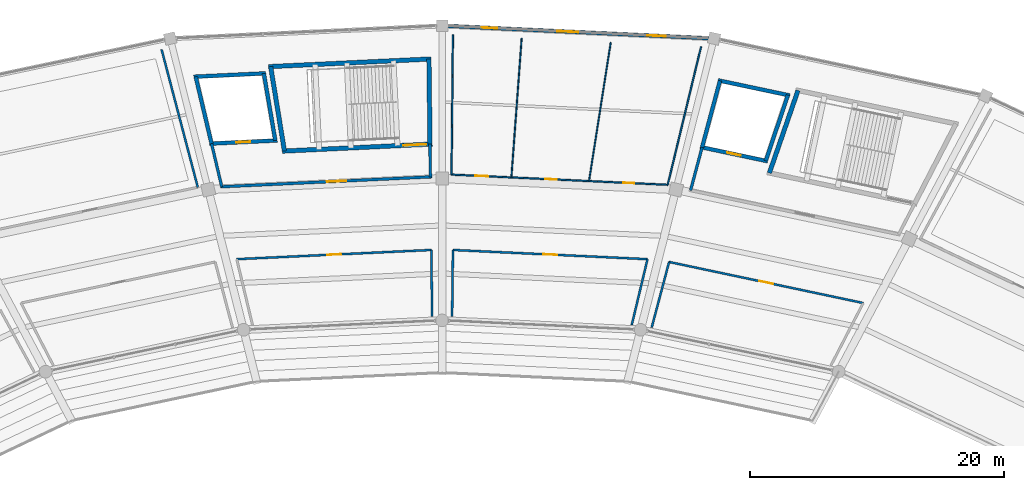
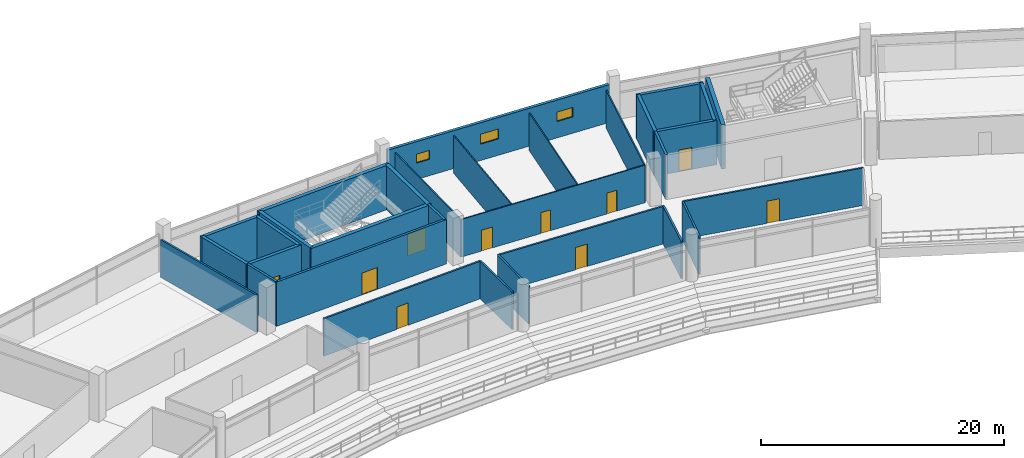
# One storey, part 137 of 171: 31 walls, 10 doors, 3 windows, 13 openings.
"""IFC4 building model written with IfcOpenShell, lengths in metres."""

from ifc_helpers import new_model, si_unit, direction, frame, frame_2d, origin, place, context, subcontext, project, spatial, rectangle, extrude, material, layer, layer_set, type_object, element, fill, save


model = new_model("IFC4")

# Units and contexts
model_context = context("Model", 3, precision=1e-05, world=origin(), true_north=direction((0.0, 1.0)))
body_context = subcontext(model_context, "Body", "Model", "MODEL_VIEW")
ifc_project = project(units=[si_unit("LENGTHUNIT", "METRE"), si_unit("AREAUNIT", "SQUARE_METRE"), si_unit("VOLUMEUNIT", "CUBIC_METRE"), si_unit("PLANEANGLEUNIT", "RADIAN"), si_unit("MASSUNIT", "GRAM", prefix="KILO")], contexts=[model_context])

# Site, building, storey
site_placement = place(None, origin())
site = spatial("IfcSite", under=ifc_project, at=site_placement, CompositionType="ELEMENT")
building_placement = place(site_placement, origin())
building = spatial("IfcBuilding", under=site, at=building_placement, Name="Kazemori Nagisa Stadium", CompositionType="ELEMENT")
storey_placement = place(building_placement, frame((0.0, 0.0, 15.639892578125)))
storey = spatial("IfcBuildingStorey", under=building, at=storey_placement, Name="L03", CompositionType="ELEMENT", Elevation=15.639892578125)

# Wall
ifc_material_1 = material(Name="Concrete C40/50 (Fc42)", Category="concrete")
ifc_layer_1 = layer(ifc_material_1, 0.35009765625, Name="Concrete C40/50 (Fc42)", Category="concrete")
ifc_layer_set_1 = layer_set([ifc_layer_1], Name="Concrete C40/50 (Fc42)")
wall_type_1 = type_object("IfcWallType", Name="Wall_W-CORE-350", PredefinedType="SHEAR", material=ifc_layer_set_1)
wall_1_placement = place(storey_placement, frame((148.787353515625, 176.396240234375, 0.0), z_axis=(0.0, 0.0, 1.0), x_axis=(0.327491724385, 0.944854047173, 0.0)))
element("IfcWall", 1, at=wall_1_placement, inside=storey, type_object=wall_type_1, Name="Core stair right shear wall ST11 L03", PredefinedType="SHEAR", context=body_context, shape_type="SweptSolid", body=[
    extrude(rectangle(XDim=6.88525390625, YDim=0.35009765625, at=frame_2d((3.442626953125, 0.0))), origin(), (0.0, 0.0, 1.0), 4.460205078125),
])

# Wall, opening, door
wall_2_placement = place(storey_placement, frame((122.218994140625, 178.675048828125, 0.0), z_axis=(0.0, 0.0, 1.0), x_axis=(-0.998883770468, -0.04723571843, 0.0)))
wall_2 = element("IfcWall", 2, at=wall_2_placement, inside=storey, type_object=wall_type_1, Name="Core stair front shear wall ST05 L03", PredefinedType="SHEAR", context=body_context, shape_type="SweptSolid", body=[
    extrude(rectangle(XDim=11.830810546875, YDim=0.35009765625, at=frame_2d((5.91552734375, 0.0))), origin(), (0.0, 0.0, 1.0), 4.460205078125),
])
opening_1_placement = place(wall_2_placement, frame((0.47509765625, 0.0, 0.0)))
opening_1 = element("IfcOpeningElement", 3, at=opening_1_placement, cuts=wall_2, Name="Opening D-ST-1800", PredefinedType="OPENING", context=body_context, shape_type="SweptSolid", body=[
    extrude(rectangle(XDim=1.800048828125, YDim=2.199951171875, at=frame_2d((0.89990234375, 1.10009765625))), frame((0.0, 0.18505859375, 0.0), z_axis=(0.0, -1.0, 0.0), x_axis=(1.0, 0.0, 0.0)), (0.0, 0.0, 1.0), 0.3701171875),
])
ifc_material_2 = material(Name="Galvanised steel sheet", Category="steel")
door_type_1 = type_object("IfcDoorType", Name="Door_D-ST-1800", OperationType="NOTDEFINED", PredefinedType="DOOR", material=ifc_material_2)
door_1_placement = place(opening_1_placement, frame((1.800048828125, 0.0, 0.0), z_axis=(0.0, 0.0, 1.0), x_axis=(-1.0, 0.0, 0.0)))
door_1 = element("IfcDoor", 4, at=door_1_placement, inside=storey, type_object=door_type_1, Name="Exit stair fire door ST05-L03", OperationType="SINGLE_SWING_RIGHT", OverallHeight=2.199951171875, OverallWidth=1.800048828125, PredefinedType="DOOR", context=body_context, shape_type="SweptSolid", body=[
    extrude(rectangle(XDim=1.800048828125, YDim=2.199951171875, at=frame_2d((0.89990234375, 1.10009765625))), frame((0.0, 0.02490234375, 0.0), z_axis=(0.0, -1.0, 0.0), x_axis=(1.0, 0.0, 0.0)), (0.0, 0.0, 1.0), 0.050048828125),
])
fill(opening_1, door_1)

# Walls
wall_3_placement = place(storey_placement, frame((122.135498046875, 185.379150390625, 0.0), z_axis=(0.0, 0.0, 1.0), x_axis=(-0.998884004857, -0.047230761603, 0.0)))
element("IfcWall", 5, at=wall_3_placement, inside=storey, type_object=wall_type_1, Name="Core stair rear shear wall ST05 L03", PredefinedType="SHEAR", context=body_context, shape_type="SweptSolid", body=[
    extrude(rectangle(XDim=12.8349609375, YDim=0.35009765625, at=frame_2d((6.41748046875, 0.0))), origin(), (0.0, 0.0, 1.0), 4.460205078125),
])
wall_4_placement = place(storey_placement, frame((122.04443359375, 178.666748046875, 0.0), z_axis=(0.0, 0.0, 1.0), x_axis=(-0.012489921532, 0.999921997888, 0.0)))
element("IfcWall", 6, at=wall_4_placement, inside=storey, type_object=wall_type_1, Name="Core stair left shear wall ST05 L03", PredefinedType="SHEAR", context=body_context, shape_type="SweptSolid", body=[
    extrude(rectangle(XDim=6.70458984375, YDim=0.35009765625, at=frame_2d((3.352294921875, 0.0))), origin(), (0.0, 0.0, 1.0), 4.460205078125),
])
wall_5_placement = place(storey_placement, frame((110.576171875, 178.12451171875, 0.0), z_axis=(0.0, 0.0, 1.0), x_axis=(-0.161075775241, 0.986942042184, 0.0)))
element("IfcWall", 7, at=wall_5_placement, inside=storey, type_object=wall_type_1, Name="Core stair right shear wall ST05 L03", PredefinedType="SHEAR", context=body_context, shape_type="SweptSolid", body=[
    extrude(rectangle(XDim=6.744873046875, YDim=0.35009765625, at=frame_2d((3.37255859375, 0.0))), origin(), (0.0, 0.0, 1.0), 4.460205078125),
])

# Wall, openings, windows
ifc_material_3 = material(Name="Concrete C40/50 (Fc42) precast", Category="concrete")
ifc_layer_2 = layer(ifc_material_3, 0.27490234375, Name="Concrete C40/50 (Fc42) precast", Category="concrete")
ifc_layer_set_2 = layer_set([ifc_layer_2], Name="Concrete C40/50 (Fc42) precast")
wall_type_2 = type_object("IfcWallType", Name="Wall_W-EXT-275", PredefinedType="SOLIDWALL", material=ifc_layer_set_2)
wall_6_placement = place(storey_placement, frame((143.98828125, 187.007568359375, 0.0), z_axis=(0.0, 0.0, 1.0), x_axis=(-0.998883870553, 0.047233601901, 0.0)))
wall_6 = element("IfcWall", 8, at=wall_6_placement, inside=storey, type_object=wall_type_2, Name="Exterior facade wall L03-07", PredefinedType="SOLIDWALL", context=body_context, shape_type="SweptSolid", body=[
    extrude(rectangle(XDim=20.57177734375, YDim=0.27490234375, at=frame_2d((10.285888671875, 0.0))), origin(), (0.0, 0.0, 1.0), 3.81005859375),
])
opening_2_placement = place(wall_6_placement, frame((3.388916015625, 0.0, 1.64990234375)))
opening_2 = element("IfcOpeningElement", 9, at=opening_2_placement, cuts=wall_6, Name="Opening WIN-WC-1450", PredefinedType="OPENING", context=body_context, shape_type="SweptSolid", body=[
    extrude(rectangle(XDim=1.449951171875, YDim=0.949951171875, at=frame_2d((0.72509765625, 0.47509765625))), frame((0.0, 0.1474609375, 0.0), z_axis=(0.0, -1.0, 0.0), x_axis=(1.0, 0.0, 0.0)), (0.0, 0.0, 1.0), 0.294921875),
])
opening_3_placement = place(wall_6_placement, frame((10.283935546875, 0.0, 1.64990234375)))
opening_3 = element("IfcOpeningElement", 10, at=opening_3_placement, cuts=wall_6, Name="Opening WIN-WC-1650", PredefinedType="OPENING", context=body_context, shape_type="SweptSolid", body=[
    extrude(rectangle(XDim=1.64990234375, YDim=1.0, at=frame_2d((0.824951171875, 0.5))), frame((0.0, 0.1474609375, 0.0), z_axis=(0.0, -1.0, 0.0), x_axis=(1.0, 0.0, 0.0)), (0.0, 0.0, 1.0), 0.294921875),
])
opening_4_placement = place(wall_6_placement, frame((16.679931640625, 0.0, 1.64990234375)))
opening_4 = element("IfcOpeningElement", 11, at=opening_4_placement, cuts=wall_6, Name="Opening WIN-WC-1200", PredefinedType="OPENING", context=body_context, shape_type="SweptSolid", body=[
    extrude(rectangle(XDim=1.199951171875, YDim=0.89990234375, at=frame_2d((0.60009765625, 0.449951171875))), frame((0.0, 0.1474609375, 0.0), z_axis=(0.0, -1.0, 0.0), x_axis=(1.0, 0.0, 0.0)), (0.0, 0.0, 1.0), 0.294921875),
])
ifc_material_4 = material(Name="Low-e laminated double glazing", Category="glass")
window_type_1 = type_object("IfcWindowType", Name="Window_WIN-WC-1200", PartitioningType="SINGLE_PANEL", PredefinedType="WINDOW", material=ifc_material_4)
window_1_placement = place(opening_4_placement, origin())
window_1 = element("IfcWindow", 12, at=window_1_placement, inside=storey, type_object=window_type_1, Name="Sanitary clerestory window L03-07-3", OverallHeight=0.89990234375, OverallWidth=1.199951171875, PartitioningType="SINGLE_PANEL", PredefinedType="WINDOW", context=body_context, shape_type="SweptSolid", body=[
    extrude(rectangle(XDim=1.199951171875, YDim=0.89990234375, at=frame_2d((0.60009765625, 0.449951171875))), frame((0.0, 0.030029296875, 0.0), z_axis=(0.0, -1.0, 0.0), x_axis=(1.0, 0.0, 0.0)), (0.0, 0.0, 1.0), 0.06005859375),
])
fill(opening_4, window_1)
window_type_2 = type_object("IfcWindowType", Name="Window_WIN-WC-1450", PartitioningType="SINGLE_PANEL", PredefinedType="WINDOW", material=ifc_material_4)
window_2_placement = place(opening_2_placement, origin())
window_2 = element("IfcWindow", 13, at=window_2_placement, inside=storey, type_object=window_type_2, Name="Sanitary clerestory window L03-07-1", OverallHeight=0.949951171875, OverallWidth=1.449951171875, PartitioningType="SINGLE_PANEL", PredefinedType="WINDOW", context=body_context, shape_type="SweptSolid", body=[
    extrude(rectangle(XDim=1.449951171875, YDim=0.949951171875, at=frame_2d((0.72509765625, 0.47509765625))), frame((0.0, 0.030029296875, 0.0), z_axis=(0.0, -1.0, 0.0), x_axis=(1.0, 0.0, 0.0)), (0.0, 0.0, 1.0), 0.06005859375),
])
fill(opening_2, window_2)
window_type_3 = type_object("IfcWindowType", Name="Window_WIN-WC-1650", PartitioningType="SINGLE_PANEL", PredefinedType="WINDOW", material=ifc_material_4)
window_3_placement = place(opening_3_placement, origin())
window_3 = element("IfcWindow", 14, at=window_3_placement, inside=storey, type_object=window_type_3, Name="Sanitary clerestory window L03-07-2", OverallHeight=1.0, OverallWidth=1.64990234375, PartitioningType="SINGLE_PANEL", PredefinedType="WINDOW", context=body_context, shape_type="SweptSolid", body=[
    extrude(rectangle(XDim=1.64990234375, YDim=1.0, at=frame_2d((0.824951171875, 0.5))), frame((0.0, 0.030029296875, 0.0), z_axis=(0.0, -1.0, 0.0), x_axis=(1.0, 0.0, 0.0)), (0.0, 0.0, 1.0), 0.06005859375),
])
fill(opening_3, window_3)

# Wall
ifc_material_5 = material(Name="Concrete C36/45 (Fc36)", Category="concrete")
ifc_layer_3 = layer(ifc_material_5, 0.219970703125, Name="Concrete C36/45 (Fc36)", Category="concrete")
ifc_layer_set_3 = layer_set([ifc_layer_3], Name="Concrete C36/45 (Fc36)")
wall_type_3 = type_object("IfcWallType", Name="Wall_W-LOBBY-220", PredefinedType="SOLIDWALL", material=ifc_layer_set_3)
wall_7_placement = place(storey_placement, frame((142.576171875, 175.024658203125, 0.0), z_axis=(0.0, 0.0, 1.0), x_axis=(0.258940146037, 0.965893369255, 0.0)))
element("IfcWall", 15, at=wall_7_placement, inside=storey, type_object=wall_type_3, Name="Core lobby right wall ST11 L03", PredefinedType="SOLIDWALL", context=body_context, shape_type="SweptSolid", body=[
    extrude(rectangle(XDim=3.50830078125, YDim=0.219970703125, at=frame_2d((1.754150390625, 0.0))), origin(), (0.0, 0.0, 1.0), 4.460205078125),
])

# Wall, opening, door
wall_8_placement = place(storey_placement, frame((122.186279296875, 176.093505859375, 0.0), z_axis=(0.0, 0.0, 1.0), x_axis=(-0.998884242682, -0.047225731555, 0.0)))
wall_8 = element("IfcWall", 16, at=wall_8_placement, inside=storey, type_object=wall_type_3, Name="Core lobby fire wall ST05 L03", PredefinedType="SOLIDWALL", context=body_context, shape_type="SweptSolid", body=[
    extrude(rectangle(XDim=16.67724609375, YDim=0.219970703125, at=frame_2d((8.338623046875, 0.0))), origin(), (0.0, 0.0, 1.0), 4.460205078125),
])
opening_5_placement = place(wall_8_placement, frame((6.76611328125, 0.0, 0.0)))
opening_5 = element("IfcOpeningElement", 17, at=opening_5_placement, cuts=wall_8, Name="Opening D-FFL-1500", PredefinedType="OPENING", context=body_context, shape_type="SweptSolid", body=[
    extrude(rectangle(XDim=1.5, YDim=2.199951171875, at=frame_2d((0.75, 1.10009765625))), frame((0.0, 0.119873046875, 0.0), z_axis=(0.0, -1.0, 0.0), x_axis=(1.0, 0.0, 0.0)), (0.0, 0.0, 1.0), 0.239990234375),
])
door_type_2 = type_object("IfcDoorType", Name="Door_D-FFL-1500", OperationType="NOTDEFINED", PredefinedType="DOOR", material=ifc_material_2)
door_2_placement = place(opening_5_placement, frame((1.5, 0.0, 0.0), z_axis=(0.0, 0.0, 1.0), x_axis=(-1.0, 0.0, 0.0)))
door_2 = element("IfcDoor", 18, at=door_2_placement, inside=storey, type_object=door_type_2, Name="Protected lobby fire door ST05-L03", OperationType="DOUBLE_DOOR_SINGLE_SWING", OverallHeight=2.199951171875, OverallWidth=1.5, PredefinedType="DOOR", context=body_context, shape_type="SweptSolid", body=[
    extrude(rectangle(XDim=1.5, YDim=2.199951171875, at=frame_2d((0.75, 1.10009765625))), frame((0.0, 0.02490234375, 0.0), z_axis=(0.0, -1.0, 0.0), x_axis=(1.0, 0.0, 0.0)), (0.0, 0.0, 1.0), 0.050048828125),
])
fill(opening_5, door_2)

# Walls
wall_9_placement = place(storey_placement, frame((122.076416015625, 176.08837890625, 0.0), z_axis=(0.0, 0.0, 1.0), x_axis=(-0.012403174243, 0.999923077676, 0.0)))
element("IfcWall", 19, at=wall_9_placement, inside=storey, type_object=wall_type_3, Name="Core lobby left wall ST05 L03", PredefinedType="SOLIDWALL", context=body_context, shape_type="SweptSolid", body=[
    extrude(rectangle(XDim=2.57861328125, YDim=0.219970703125, at=frame_2d((1.289306640625, 0.0))), origin(), (0.0, 0.0, 1.0), 4.460205078125),
])
wall_10_placement = place(storey_placement, frame((105.6376953125, 175.31103515625, 0.0), z_axis=(0.0, 0.0, 1.0), x_axis=(-0.230522067539, 0.973067097572, 0.0)))
element("IfcWall", 20, at=wall_10_placement, inside=storey, type_object=wall_type_3, Name="Core lobby right wall ST05 L03", PredefinedType="SOLIDWALL", context=body_context, shape_type="SweptSolid", body=[
    extrude(rectangle(XDim=3.49609375, YDim=0.219970703125, at=frame_2d((1.748046875, 0.0))), origin(), (0.0, 0.0, 1.0), 4.460205078125),
])
ifc_material_6 = material(Name="High-pressure phenolic compact laminate", Category="gypsum")
ifc_layer_4 = layer(ifc_material_6, 0.10009765625, Name="High-pressure phenolic compact laminate", Category="gypsum")
ifc_layer_set_4 = layer_set([ifc_layer_4], Name="High-pressure phenolic compact laminate")
wall_type_4 = type_object("IfcWallType", Name="Wall_W-PART-100", PredefinedType="PARTITIONING", material=ifc_layer_set_4)
wall_11_placement = place(storey_placement, frame((134.5732421875, 175.7568359375, 0.0), z_axis=(0.0, 0.0, 1.0), x_axis=(0.154999027606, 0.987914622547, 0.0)))
element("IfcWall", 21, at=wall_11_placement, inside=storey, type_object=wall_type_4, Name="Sanitary divider partition L03-B07-1", PredefinedType="PARTITIONING", context=body_context, shape_type="SweptSolid", body=[
    extrude(rectangle(XDim=11.060546875, YDim=0.10009765625, at=frame_2d((5.5302734375, 0.0))), origin(), (0.0, 0.0, 1.0), 3.780029296875),
])
wall_12_placement = place(storey_placement, frame((128.45849609375, 176.0458984375, 0.0), z_axis=(0.0, 0.0, 1.0), x_axis=(0.073511947884, 0.997294336452, 0.0)))
element("IfcWall", 22, at=wall_12_placement, inside=storey, type_object=wall_type_4, Name="Sanitary divider partition L03-B07-2", PredefinedType="PARTITIONING", context=body_context, shape_type="SweptSolid", body=[
    extrude(rectangle(XDim=10.99951171875, YDim=0.10009765625, at=frame_2d((5.499755859375, 0.0))), origin(), (0.0, 0.0, 1.0), 3.780029296875),
])

# Wall, openings, doors
ifc_material_7 = material(Name="Moisture-resistant gypsum board", Category="gypsum")
ifc_layer_5 = layer(ifc_material_7, 0.114990234375, Name="Moisture-resistant gypsum board", Category="gypsum")
ifc_layer_set_5 = layer_set([ifc_layer_5], Name="Moisture-resistant gypsum board")
wall_type_5 = type_object("IfcWallType", Name="Wall_W-PART-115", PredefinedType="PARTITIONING", material=ifc_layer_set_5)
wall_13_placement = place(storey_placement, frame((140.77294921875, 175.463623046875, 0.0), z_axis=(0.0, 0.0, 1.0), x_axis=(-0.998883826153, 0.047234540851, 0.0)))
wall_13 = element("IfcWall", 23, at=wall_13_placement, inside=storey, type_object=wall_type_5, Name="Sanitary block corridor partition L03-B07", PredefinedType="PARTITIONING", context=body_context, shape_type="SweptSolid", body=[
    extrude(rectangle(XDim=17.051513671875, YDim=0.114990234375, at=frame_2d((8.52587890625, 0.0))), origin(), (0.0, 0.0, 1.0), 3.780029296875),
])
opening_6_placement = place(wall_13_placement, frame((2.618896484375, 0.0, 0.0)))
opening_6 = element("IfcOpeningElement", 24, at=opening_6_placement, cuts=wall_13, Name="Opening D-WC-900", PredefinedType="OPENING", context=body_context, shape_type="SweptSolid", body=[
    extrude(rectangle(XDim=0.89990234375, YDim=2.10009765625, at=frame_2d((0.449951171875, 1.050048828125))), frame((0.0, 0.0673828125, 0.0), z_axis=(0.0, -1.0, 0.0), x_axis=(1.0, 0.0, 0.0)), (0.0, 0.0, 1.0), 0.135009765625),
])
opening_7_placement = place(wall_13_placement, frame((8.758056640625, 0.0, 0.0)))
opening_7 = element("IfcOpeningElement", 25, at=opening_7_placement, cuts=wall_13, Name="Opening D-WC-900", PredefinedType="OPENING", context=body_context, shape_type="SweptSolid", body=[
    extrude(rectangle(XDim=0.89990234375, YDim=2.10009765625, at=frame_2d((0.449951171875, 1.050048828125))), frame((0.0, 0.0673828125, 0.0), z_axis=(0.0, -1.0, 0.0), x_axis=(1.0, 0.0, 0.0)), (0.0, 0.0, 1.0), 0.135009765625),
])
opening_8_placement = place(wall_13_placement, frame((14.138916015625, 0.0, 0.0)))
opening_8 = element("IfcOpeningElement", 26, at=opening_8_placement, cuts=wall_13, Name="Opening D-AWC-1050", PredefinedType="OPENING", context=body_context, shape_type="SweptSolid", body=[
    extrude(rectangle(XDim=1.050048828125, YDim=2.10009765625, at=frame_2d((0.52490234375, 1.050048828125))), frame((0.0, 0.0673828125, 0.0), z_axis=(0.0, -1.0, 0.0), x_axis=(1.0, 0.0, 0.0)), (0.0, 0.0, 1.0), 0.135009765625),
])
ifc_material_8 = material(Name="High-pressure laminate on timber core", Category="wood")
door_type_3 = type_object("IfcDoorType", Name="Door_D-AWC-1050", OperationType="NOTDEFINED", PredefinedType="DOOR", material=ifc_material_8)
door_3_placement = place(opening_8_placement, origin())
door_3 = element("IfcDoor", 27, at=door_3_placement, inside=storey, type_object=door_type_3, Name="AWC entrance door L03-B07", OperationType="SINGLE_SWING_RIGHT", OverallHeight=2.10009765625, OverallWidth=1.050048828125, PredefinedType="DOOR", context=body_context, shape_type="SweptSolid", body=[
    extrude(rectangle(XDim=1.050048828125, YDim=2.10009765625, at=frame_2d((0.52490234375, 1.050048828125))), frame((0.0, 0.02490234375, 0.0), z_axis=(0.0, -1.0, 0.0), x_axis=(1.0, 0.0, 0.0)), (0.0, 0.0, 1.0), 0.050048828125),
])
fill(opening_8, door_3)
door_type_4 = type_object("IfcDoorType", Name="Door_D-WC-900", OperationType="NOTDEFINED", PredefinedType="DOOR", material=ifc_material_8)
door_4_placement = place(opening_6_placement, origin())
door_4 = element("IfcDoor", 28, at=door_4_placement, inside=storey, type_object=door_type_4, Name="MWC entrance door L03-B07", OperationType="SINGLE_SWING_RIGHT", OverallHeight=2.10009765625, OverallWidth=0.89990234375, PredefinedType="DOOR", context=body_context, shape_type="SweptSolid", body=[
    extrude(rectangle(XDim=0.89990234375, YDim=2.10009765625, at=frame_2d((0.449951171875, 1.050048828125))), frame((0.0, 0.02490234375, 0.0), z_axis=(0.0, -1.0, 0.0), x_axis=(1.0, 0.0, 0.0)), (0.0, 0.0, 1.0), 0.050048828125),
])
fill(opening_6, door_4)
door_5_placement = place(opening_7_placement, origin())
door_5 = element("IfcDoor", 29, at=door_5_placement, inside=storey, type_object=door_type_4, Name="FWC entrance door L03-B07", OperationType="SINGLE_SWING_LEFT", OverallHeight=2.10009765625, OverallWidth=0.89990234375, PredefinedType="DOOR", context=body_context, shape_type="SweptSolid", body=[
    extrude(rectangle(XDim=0.89990234375, YDim=2.10009765625, at=frame_2d((0.449951171875, 1.050048828125))), frame((0.0, 0.02490234375, 0.0), z_axis=(0.0, -1.0, 0.0), x_axis=(1.0, 0.0, 0.0)), (0.0, 0.0, 1.0), 0.050048828125),
])
fill(opening_7, door_5)

# Walls
wall_14_placement = place(storey_placement, frame((140.77294921875, 175.463623046875, 0.0), z_axis=(0.0, 0.0, 1.0), x_axis=(0.235146333041, 0.971959979658, 0.0)))
element("IfcWall", 30, at=wall_14_placement, inside=storey, type_object=wall_type_5, Name="Sanitary block L partition L03-B07", PredefinedType="PARTITIONING", context=body_context, shape_type="SweptSolid", body=[
    extrude(rectangle(XDim=11.197509765625, YDim=0.114990234375, at=frame_2d((5.5986328125, 0.0))), origin(), (0.0, 0.0, 1.0), 3.780029296875),
])
wall_15_placement = place(storey_placement, frame((123.740478515625, 176.26904296875, 0.0), z_axis=(0.0, 0.0, 1.0), x_axis=(0.00998463551, 0.999950152284, 0.0)))
element("IfcWall", 31, at=wall_15_placement, inside=storey, type_object=wall_type_5, Name="Sanitary block R partition L03-B07", PredefinedType="PARTITIONING", context=body_context, shape_type="SweptSolid", body=[
    extrude(rectangle(XDim=11.003173828125, YDim=0.114990234375, at=frame_2d((5.50146484375, 0.0))), origin(), (0.0, 0.0, 1.0), 3.780029296875),
])
ifc_material_9 = material(Name="Gypsum plasterboard", Category="gypsum")
ifc_layer_6 = layer(ifc_material_9, 0.1650390625, Name="Gypsum plasterboard", Category="gypsum")
ifc_layer_set_6 = layer_set([ifc_layer_6], Name="Gypsum plasterboard")
wall_type_6 = type_object("IfcWallType", Name="Wall_W-PART-165", PredefinedType="PARTITIONING", material=ifc_layer_set_6)
wall_16_placement = place(storey_placement, frame((103.747802734375, 175.272216796875, 0.0), z_axis=(0.0, 0.0, 1.0), x_axis=(-0.254131382846, 0.967169706025, 0.0)))
element("IfcWall", 32, at=wall_16_placement, inside=storey, type_object=wall_type_6, Name="Room radial partition L03-B09-L", PredefinedType="PARTITIONING", context=body_context, shape_type="SweptSolid", body=[
    extrude(rectangle(XDim=11.2236328125, YDim=0.1650390625, at=frame_2d((5.61181640625, 0.0))), origin(), (0.0, 0.0, 1.0), 3.780029296875),
])

# Wall, opening, door
wall_17_placement = place(storey_placement, frame((156.179931640625, 166.14892578125, 0.0), z_axis=(0.0, 0.0, 1.0), x_axis=(-0.978345507247, 0.206978425083, 0.0)))
wall_17 = element("IfcWall", 33, at=wall_17_placement, inside=storey, type_object=wall_type_6, Name="Bowl hospitality suite partition L03-B06", PredefinedType="PARTITIONING", context=body_context, shape_type="SweptSolid", body=[
    extrude(rectangle(XDim=15.6337890625, YDim=0.1650390625, at=frame_2d((7.81689453125, 0.0))), origin(), (0.0, 0.0, 1.0), 3.780029296875),
])
opening_9_placement = place(wall_17_placement, frame((7.26708984375, 0.0, 0.0)))
opening_9 = element("IfcOpeningElement", 34, at=opening_9_placement, cuts=wall_17, Name="Opening D-SUI-1100", PredefinedType="OPENING", context=body_context, shape_type="SweptSolid", body=[
    extrude(rectangle(XDim=1.10009765625, YDim=2.25, at=frame_2d((0.550048828125, 1.125))), frame((0.0, 0.092529296875, 0.0), z_axis=(0.0, -1.0, 0.0), x_axis=(1.0, 0.0, 0.0)), (0.0, 0.0, 1.0), 0.18505859375),
])
ifc_material_10 = material(Name="Oak timber veneer", Category="wood")
door_type_5 = type_object("IfcDoorType", Name="Door_D-SUI-1100", OperationType="NOTDEFINED", PredefinedType="DOOR", material=ifc_material_10)
door_6_placement = place(opening_9_placement, origin())
door_6 = element("IfcDoor", 35, at=door_6_placement, inside=storey, type_object=door_type_5, Name="Bowl hospitality suite door L03-B06", OperationType="SINGLE_SWING_RIGHT", OverallHeight=2.25, OverallWidth=1.10009765625, PredefinedType="DOOR", context=body_context, shape_type="SweptSolid", body=[
    extrude(rectangle(XDim=1.10009765625, YDim=2.25, at=frame_2d((0.550048828125, 1.125))), frame((0.0, 0.02490234375, 0.0), z_axis=(0.0, -1.0, 0.0), x_axis=(1.0, 0.0, 0.0)), (0.0, 0.0, 1.0), 0.050048828125),
])
fill(opening_9, door_6)

# Wall
wall_18_placement = place(storey_placement, frame((140.884765625, 169.384765625, 0.0), z_axis=(0.0, 0.0, 1.0), x_axis=(-0.25653476524, -0.966535004138, 0.0)))
element("IfcWall", 36, at=wall_18_placement, inside=storey, type_object=wall_type_6, Name="Bowl hospitality suite divider L03-B06R", PredefinedType="PARTITIONING", context=body_context, shape_type="SweptSolid", body=[
    extrude(rectangle(XDim=5.349365234375, YDim=0.1650390625, at=frame_2d((2.6748046875, 0.0))), origin(), (0.0, 0.0, 1.0), 3.780029296875),
])

# Wall, opening, door
wall_19_placement = place(storey_placement, frame((139.183349609375, 169.604736328125, 0.0), z_axis=(0.0, 0.0, 1.0), x_axis=(-0.99888348783, 0.04724169494, 0.0)))
wall_19 = element("IfcWall", 37, at=wall_19_placement, inside=storey, type_object=wall_type_6, Name="Bowl hospitality suite partition L03-B07", PredefinedType="PARTITIONING", context=body_context, shape_type="SweptSolid", body=[
    extrude(rectangle(XDim=15.3486328125, YDim=0.1650390625, at=frame_2d((7.67431640625, 0.0))), origin(), (0.0, 0.0, 1.0), 3.780029296875),
])
opening_10_placement = place(wall_19_placement, frame((7.1240234375, 0.0, 0.0)))
opening_10 = element("IfcOpeningElement", 38, at=opening_10_placement, cuts=wall_19, Name="Opening D-SUI-1100", PredefinedType="OPENING", context=body_context, shape_type="SweptSolid", body=[
    extrude(rectangle(XDim=1.10009765625, YDim=2.25, at=frame_2d((0.550048828125, 1.125))), frame((0.0, 0.092529296875, 0.0), z_axis=(0.0, -1.0, 0.0), x_axis=(1.0, 0.0, 0.0)), (0.0, 0.0, 1.0), 0.18505859375),
])
door_7_placement = place(opening_10_placement, origin())
door_7 = element("IfcDoor", 39, at=door_7_placement, inside=storey, type_object=door_type_5, Name="Bowl hospitality suite door L03-B07", OperationType="SINGLE_SWING_LEFT", OverallHeight=2.25, OverallWidth=1.10009765625, PredefinedType="DOOR", context=body_context, shape_type="SweptSolid", body=[
    extrude(rectangle(XDim=1.10009765625, YDim=2.25, at=frame_2d((0.550048828125, 1.125))), frame((0.0, 0.02490234375, 0.0), z_axis=(0.0, -1.0, 0.0), x_axis=(1.0, 0.0, 0.0)), (0.0, 0.0, 1.0), 0.050048828125),
])
fill(opening_10, door_7)

# Walls
wall_20_placement = place(storey_placement, frame((139.183349609375, 169.604736328125, 0.0), z_axis=(0.0, 0.0, 1.0), x_axis=(-0.232841451619, -0.972514708582, 0.0)))
element("IfcWall", 40, at=wall_20_placement, inside=storey, type_object=wall_type_6, Name="Bowl hospitality suite divider L03-B07L", PredefinedType="PARTITIONING", context=body_context, shape_type="SweptSolid", body=[
    extrude(rectangle(XDim=5.333740234375, YDim=0.1650390625, at=frame_2d((2.6669921875, 0.0))), origin(), (0.0, 0.0, 1.0), 3.780029296875),
])
wall_21_placement = place(storey_placement, frame((123.851806640625, 170.329833984375, 0.0), z_axis=(0.0, 0.0, 1.0), x_axis=(-0.012478655792, -0.999922138544, 0.0)))
element("IfcWall", 41, at=wall_21_placement, inside=storey, type_object=wall_type_6, Name="Bowl hospitality suite divider L03-B07R", PredefinedType="PARTITIONING", context=body_context, shape_type="SweptSolid", body=[
    extrude(rectangle(XDim=5.243408203125, YDim=0.1650390625, at=frame_2d((2.62158203125, 0.0))), origin(), (0.0, 0.0, 1.0), 3.780029296875),
])

# Wall, opening, door
wall_22_placement = place(storey_placement, frame((122.148193359375, 170.329833984375, 0.0), z_axis=(0.0, 0.0, 1.0), x_axis=(-0.99888348783, -0.04724169494, 0.0)))
wall_22 = element("IfcWall", 42, at=wall_22_placement, inside=storey, type_object=wall_type_6, Name="Bowl hospitality suite partition L03-B08", PredefinedType="PARTITIONING", context=body_context, shape_type="SweptSolid", body=[
    extrude(rectangle(XDim=15.3486328125, YDim=0.1650390625, at=frame_2d((7.67431640625, 0.0))), origin(), (0.0, 0.0, 1.0), 3.780029296875),
])
opening_11_placement = place(wall_22_placement, frame((7.1240234375, 0.0, 0.0)))
opening_11 = element("IfcOpeningElement", 43, at=opening_11_placement, cuts=wall_22, Name="Opening D-SUI-1100", PredefinedType="OPENING", context=body_context, shape_type="SweptSolid", body=[
    extrude(rectangle(XDim=1.10009765625, YDim=2.25, at=frame_2d((0.550048828125, 1.125))), frame((0.0, 0.092529296875, 0.0), z_axis=(0.0, -1.0, 0.0), x_axis=(1.0, 0.0, 0.0)), (0.0, 0.0, 1.0), 0.18505859375),
])
door_8_placement = place(opening_11_placement, origin())
door_8 = element("IfcDoor", 44, at=door_8_placement, inside=storey, type_object=door_type_5, Name="Bowl hospitality suite door L03-B08", OperationType="SINGLE_SWING_RIGHT", OverallHeight=2.25, OverallWidth=1.10009765625, PredefinedType="DOOR", context=body_context, shape_type="SweptSolid", body=[
    extrude(rectangle(XDim=1.10009765625, YDim=2.25, at=frame_2d((0.550048828125, 1.125))), frame((0.0, 0.02490234375, 0.0), z_axis=(0.0, -1.0, 0.0), x_axis=(1.0, 0.0, 0.0)), (0.0, 0.0, 1.0), 0.050048828125),
])
fill(opening_11, door_8)

# Wall
wall_23_placement = place(storey_placement, frame((122.148193359375, 170.329833984375, 0.0), z_axis=(0.0, 0.0, 1.0), x_axis=(0.012478655792, -0.999922138544, 0.0)))
element("IfcWall", 45, at=wall_23_placement, inside=storey, type_object=wall_type_6, Name="Bowl hospitality suite divider L03-B08L", PredefinedType="PARTITIONING", context=body_context, shape_type="SweptSolid", body=[
    extrude(rectangle(XDim=5.243408203125, YDim=0.1650390625, at=frame_2d((2.62158203125, 0.0))), origin(), (0.0, 0.0, 1.0), 3.780029296875),
])

# Wall, opening, door
ifc_layer_7 = layer(ifc_material_1, 0.300048828125, Name="Concrete C40/50 (Fc42)", Category="concrete")
ifc_layer_set_7 = layer_set([ifc_layer_7], Name="Concrete C40/50 (Fc42)")
wall_type_7 = type_object("IfcWallType", Name="Wall_W-SHAFT-300", PredefinedType="SHEAR", material=ifc_layer_set_7)
wall_24_placement = place(storey_placement, frame((148.644775390625, 177.32177734375, 0.0), z_axis=(0.0, 0.0, 1.0), x_axis=(-0.978351630878, 0.206949477793, 0.0)))
wall_24 = element("IfcWall", 46, at=wall_24_placement, inside=storey, type_object=wall_type_7, Name="Lift shaft front wall LP3 L03", PredefinedType="SHEAR", context=body_context, shape_type="SweptSolid", body=[
    extrude(rectangle(XDim=5.42431640625, YDim=0.300048828125, at=frame_2d((2.712158203125, 0.0))), origin(), (0.0, 0.0, 1.0), 4.460205078125),
])
opening_12_placement = place(wall_24_placement, frame((2.162109375, 0.0, 0.0)))
opening_12 = element("IfcOpeningElement", 47, at=opening_12_placement, cuts=wall_24, Name="Opening LD-PAX", PredefinedType="OPENING", context=body_context, shape_type="SweptSolid", body=[
    extrude(rectangle(XDim=1.10009765625, YDim=2.199951171875, at=frame_2d((0.550048828125, 1.10009765625))), frame((0.0, 0.159912109375, 0.0), z_axis=(0.0, -1.0, 0.0), x_axis=(1.0, 0.0, 0.0)), (0.0, 0.0, 1.0), 0.320068359375),
])
ifc_material_11 = material(Name="Stainless steel SUS304", Category="steel")
door_type_6 = type_object("IfcDoorType", Name="Door_LD-PAX", OperationType="SLIDING_TO_RIGHT", PredefinedType="DOOR", material=ifc_material_11)
door_9_placement = place(opening_12_placement, origin())
door_9 = element("IfcDoor", 48, at=door_9_placement, inside=storey, type_object=door_type_6, Name="Lift landing door LP3-L03", OperationType="SLIDING_TO_RIGHT", OverallHeight=2.199951171875, OverallWidth=1.10009765625, PredefinedType="DOOR", context=body_context, shape_type="SweptSolid", body=[
    extrude(rectangle(XDim=1.10009765625, YDim=2.199951171875, at=frame_2d((0.550048828125, 1.10009765625))), frame((0.0, 0.02490234375, 0.0), z_axis=(0.0, -1.0, 0.0), x_axis=(1.0, 0.0, 0.0)), (0.0, 0.0, 1.0), 0.050048828125),
])
fill(opening_12, door_9)

# Walls
wall_25_placement = place(storey_placement, frame((150.3974609375, 182.501220703125, 0.0), z_axis=(0.0, 0.0, 1.0), x_axis=(-0.978347069901, 0.206971038591, 0.0)))
element("IfcWall", 49, at=wall_25_placement, inside=storey, type_object=wall_type_7, Name="Lift shaft B wall LP3 L03", PredefinedType="SHEAR", context=body_context, shape_type="SweptSolid", body=[
    extrude(rectangle(XDim=5.7763671875, YDim=0.300048828125, at=frame_2d((2.88818359375, 0.0))), origin(), (0.0, 0.0, 1.0), 4.460205078125),
])
wall_26_placement = place(storey_placement, frame((148.498046875, 177.352783203125, 0.0), z_axis=(0.0, 0.0, 1.0), x_axis=(0.320537624185, 0.947235784523, 0.0)))
element("IfcWall", 50, at=wall_26_placement, inside=storey, type_object=wall_type_7, Name="Lift shaft L wall LP3 L03", PredefinedType="SHEAR", context=body_context, shape_type="SweptSolid", body=[
    extrude(rectangle(XDim=5.468017578125, YDim=0.300048828125, at=frame_2d((2.73388671875, 0.0))), origin(), (0.0, 0.0, 1.0), 4.460205078125),
])
wall_27_placement = place(storey_placement, frame((143.484619140625, 178.413330078125, 0.0), z_axis=(0.0, 0.0, 1.0), x_axis=(0.258958994481, 0.965888316099, 0.0)))
element("IfcWall", 51, at=wall_27_placement, inside=storey, type_object=wall_type_7, Name="Lift shaft R wall LP3 L03", PredefinedType="SHEAR", context=body_context, shape_type="SweptSolid", body=[
    extrude(rectangle(XDim=5.43798828125, YDim=0.300048828125, at=frame_2d((2.718994140625, 0.0))), origin(), (0.0, 0.0, 1.0), 4.460205078125),
])

# Wall, opening, door
wall_28_placement = place(storey_placement, frame((110.007080078125, 178.95751953125, 0.0), z_axis=(0.0, 0.0, 1.0), x_axis=(-0.998884655258, -0.047217004244, 0.0)))
wall_28 = element("IfcWall", 52, at=wall_28_placement, inside=storey, type_object=wall_type_7, Name="Lift shaft front wall LP1 L03", PredefinedType="SHEAR", context=body_context, shape_type="SweptSolid", body=[
    extrude(rectangle(XDim=5.330810546875, YDim=0.300048828125, at=frame_2d((2.66552734375, 0.0))), origin(), (0.0, 0.0, 1.0), 4.460205078125),
])
opening_13_placement = place(wall_28_placement, frame((2.114990234375, 0.0, 0.0)))
opening_13 = element("IfcOpeningElement", 53, at=opening_13_placement, cuts=wall_28, Name="Opening LD-PAX", PredefinedType="OPENING", context=body_context, shape_type="SweptSolid", body=[
    extrude(rectangle(XDim=1.10009765625, YDim=2.199951171875, at=frame_2d((0.550048828125, 1.10009765625))), frame((0.0, 0.159912109375, 0.0), z_axis=(0.0, -1.0, 0.0), x_axis=(1.0, 0.0, 0.0)), (0.0, 0.0, 1.0), 0.320068359375),
])
door_10_placement = place(opening_13_placement, origin())
door_10 = element("IfcDoor", 54, at=door_10_placement, inside=storey, type_object=door_type_6, Name="Lift landing door LP1-L03", OperationType="SLIDING_TO_RIGHT", OverallHeight=2.199951171875, OverallWidth=1.10009765625, PredefinedType="DOOR", context=body_context, shape_type="SweptSolid", body=[
    extrude(rectangle(XDim=1.10009765625, YDim=2.199951171875, at=frame_2d((0.550048828125, 1.10009765625))), frame((0.0, 0.02490234375, 0.0), z_axis=(0.0, -1.0, 0.0), x_axis=(1.0, 0.0, 0.0)), (0.0, 0.0, 1.0), 0.050048828125),
])
fill(opening_13, door_10)

# Walls
wall_29_placement = place(storey_placement, frame((109.103515625, 184.246826171875, 0.0), z_axis=(0.0, 0.0, 1.0), x_axis=(-0.998884329444, -0.047223896393, 0.0)))
element("IfcWall", 55, at=wall_29_placement, inside=storey, type_object=wall_type_7, Name="Lift shaft B wall LP1 L03", PredefinedType="SHEAR", context=body_context, shape_type="SweptSolid", body=[
    extrude(rectangle(XDim=5.676513671875, YDim=0.300048828125, at=frame_2d((2.83837890625, 0.0))), origin(), (0.0, 0.0, 1.0), 4.460205078125),
])
wall_30_placement = place(storey_placement, frame((109.857177734375, 178.95068359375, 0.0), z_axis=(0.0, 0.0, 1.0), x_axis=(-0.168396746868, 0.985719298606, 0.0)))
element("IfcWall", 56, at=wall_30_placement, inside=storey, type_object=wall_type_7, Name="Lift shaft L wall LP1 L03", PredefinedType="SHEAR", context=body_context, shape_type="SweptSolid", body=[
    extrude(rectangle(XDim=5.36572265625, YDim=0.300048828125, at=frame_2d((2.682861328125, 0.0))), origin(), (0.0, 0.0, 1.0), 4.460205078125),
])
wall_31_placement = place(storey_placement, frame((104.831787109375, 178.712890625, 0.0), z_axis=(0.0, 0.0, 1.0), x_axis=(-0.230452911873, 0.97308347813, 0.0)))
element("IfcWall", 57, at=wall_31_placement, inside=storey, type_object=wall_type_7, Name="Lift shaft R wall LP1 L03", PredefinedType="SHEAR", context=body_context, shape_type="SweptSolid", body=[
    extrude(rectangle(XDim=5.418701171875, YDim=0.300048828125, at=frame_2d((2.70947265625, 0.0))), origin(), (0.0, 0.0, 1.0), 4.460205078125),
])

save(model, "model.ifc")
